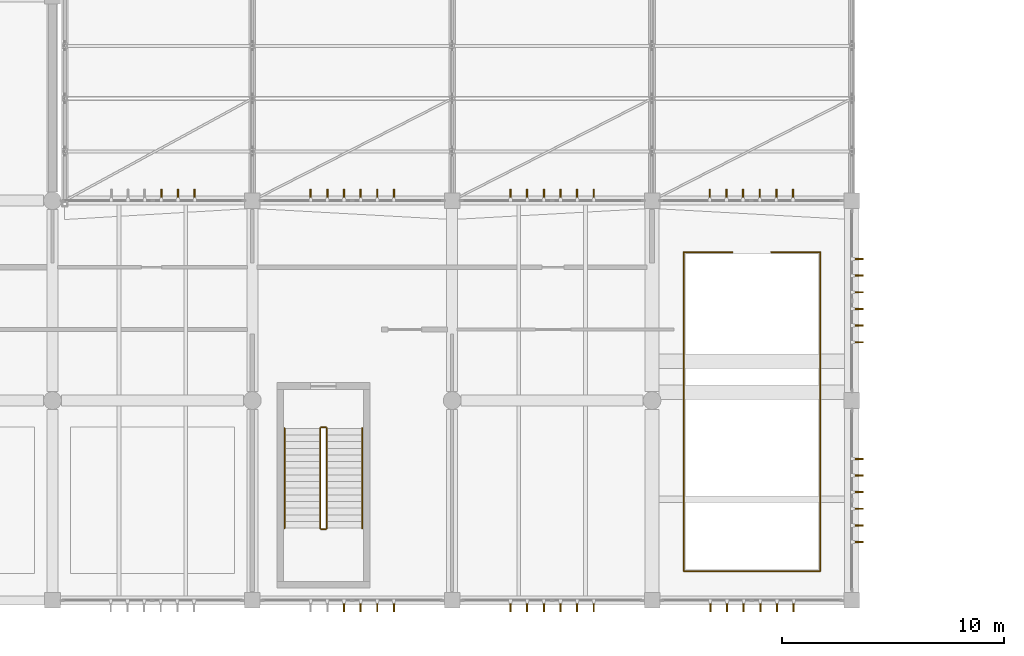
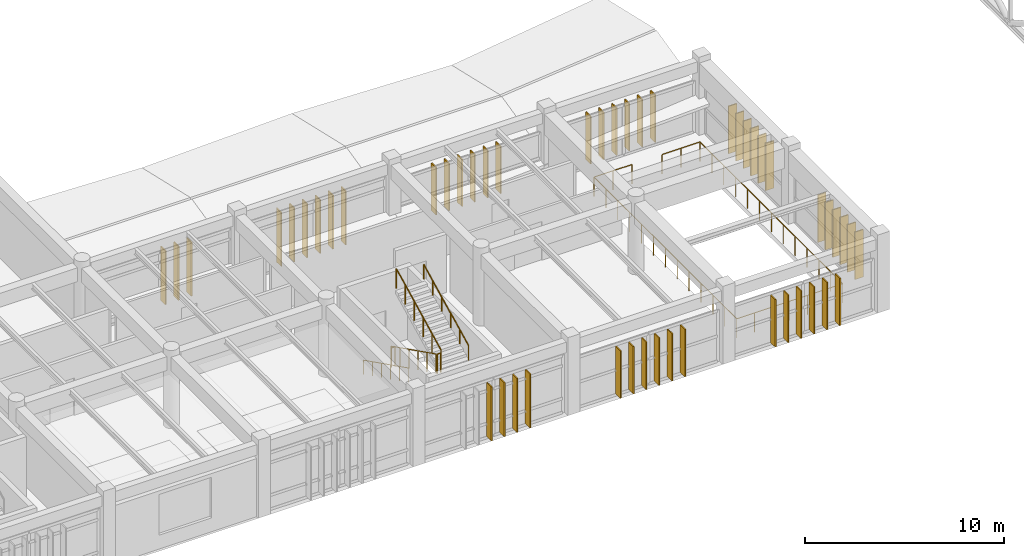
# One storey, part 84 of 90: 49 shading devices, 11 railings.
"""IFC4 building model written with IfcOpenShell, lengths in metres."""

from ifc_helpers import new_model, si_unit, direction, frame, origin, origin_2d, place, context, subcontext, project, spatial, rectangle, circle, extrude, material, type_object, element, save


model = new_model("IFC4")

# Units and contexts
model_context = context("Model", 3, precision=1e-05, world=origin(), true_north=direction((0.0, 1.0)))
body_context = subcontext(model_context, "Body", "Model", "MODEL_VIEW")
ifc_project = project(units=[si_unit("LENGTHUNIT", "METRE"), si_unit("AREAUNIT", "SQUARE_METRE"), si_unit("VOLUMEUNIT", "CUBIC_METRE"), si_unit("PLANEANGLEUNIT", "RADIAN"), si_unit("MASSUNIT", "GRAM", prefix="KILO")], contexts=[model_context])

# Site, building, storey
site_placement = place(None, origin())
site = spatial("IfcSite", under=ifc_project, at=site_placement, CompositionType="ELEMENT")
building_placement = place(site_placement, origin())
building = spatial("IfcBuilding", under=site, at=building_placement, Name="Bozkorgan Art Gallery", CompositionType="ELEMENT")
storey_placement = place(building_placement, frame((0.0, 0.0, 5.39990234375)))
storey = spatial("IfcBuildingStorey", under=building, at=storey_placement, Name="L01", CompositionType="ELEMENT", Elevation=5.39990234375)

# Railings
ifc_material_1 = material(Name="Steel S355J2", Category="steel")
railing_type_1 = type_object("IfcRailingType", Name="RAIL-BAL-INT", PredefinedType="BALUSTRADE", material=ifc_material_1)
railing_1_placement = place(storey_placement, frame((57.419921875, 3.320068359375, 0.0)))
element("IfcRailing", 1, at=railing_1_placement, inside=storey, type_object=railing_type_1, Name="V1 L01 foyer_stair_atrium guard S", PredefinedType="BALUSTRADE", context=body_context, shape_type="SweptSolid", body=[
    extrude(circle(Radius=0.02392578125, at=origin_2d()), frame((0.0, 0.0, 1.17578125), z_axis=(1.0, 0.0, 0.0), x_axis=(0.0, 1.0, 0.0)), (0.0, 0.0, 1.0), 6.16015625),
    extrude(circle(Radius=0.02099609375, at=origin_2d()), origin(), (0.0, 0.0, 1.0), 1.15185546875),
    extrude(circle(Radius=0.02099609375, at=origin_2d()), frame((1.026611328125, 0.0, 0.0)), (0.0, 0.0, 1.0), 1.15185546875),
    extrude(circle(Radius=0.02099609375, at=origin_2d()), frame((2.053466796875, 0.0, 0.0)), (0.0, 0.0, 1.0), 1.15185546875),
    extrude(circle(Radius=0.02099609375, at=origin_2d()), frame((3.080078125, 0.0, 0.0)), (0.0, 0.0, 1.0), 1.15185546875),
    extrude(circle(Radius=0.02099609375, at=origin_2d()), frame((4.106689453125, 0.0, 0.0)), (0.0, 0.0, 1.0), 1.15185546875),
    extrude(circle(Radius=0.02099609375, at=origin_2d()), frame((5.133544921875, 0.0, 0.0)), (0.0, 0.0, 1.0), 1.15185546875),
    extrude(circle(Radius=0.02099609375, at=origin_2d()), frame((6.16015625, 0.0, 0.0)), (0.0, 0.0, 1.0), 1.15185546875),
])
railing_2_placement = place(storey_placement, frame((57.419921875, 3.320068359375, 0.0)))
element("IfcRailing", 2, at=railing_2_placement, inside=storey, type_object=railing_type_1, Name="V1 L01 foyer_stair_atrium guard W", PredefinedType="BALUSTRADE", context=body_context, shape_type="SweptSolid", body=[
    extrude(circle(Radius=0.02392578125, at=origin_2d()), frame((0.0, 0.0, 1.17578125), z_axis=(0.0, 1.0, 0.0), x_axis=(-1.0, 0.0, 0.0)), (0.0, 0.0, 1.0), 14.35986328125),
    extrude(circle(Radius=0.02099609375, at=origin_2d()), origin(), (0.0, 0.0, 1.0), 1.15185546875),
    extrude(circle(Radius=0.02099609375, at=origin_2d()), frame((0.0, 1.19677734375, 0.0)), (0.0, 0.0, 1.0), 1.15185546875),
    extrude(circle(Radius=0.02099609375, at=origin_2d()), frame((0.0, 2.393310546875, 0.0)), (0.0, 0.0, 1.0), 1.15185546875),
    extrude(circle(Radius=0.02099609375, at=origin_2d()), frame((0.0, 3.58984375, 0.0)), (0.0, 0.0, 1.0), 1.15185546875),
    extrude(circle(Radius=0.02099609375, at=origin_2d()), frame((0.0, 4.78662109375, 0.0)), (0.0, 0.0, 1.0), 1.15185546875),
    extrude(circle(Radius=0.02099609375, at=origin_2d()), frame((0.0, 5.9833984375, 0.0)), (0.0, 0.0, 1.0), 1.15185546875),
    extrude(circle(Radius=0.02099609375, at=origin_2d()), frame((0.0, 7.179931640625, 0.0)), (0.0, 0.0, 1.0), 1.15185546875),
    extrude(circle(Radius=0.02099609375, at=origin_2d()), frame((0.0, 8.37646484375, 0.0)), (0.0, 0.0, 1.0), 1.15185546875),
    extrude(circle(Radius=0.02099609375, at=origin_2d()), frame((0.0, 9.5732421875, 0.0)), (0.0, 0.0, 1.0), 1.15185546875),
    extrude(circle(Radius=0.02099609375, at=origin_2d()), frame((0.0, 10.77001953125, 0.0)), (0.0, 0.0, 1.0), 1.15185546875),
    extrude(circle(Radius=0.02099609375, at=origin_2d()), frame((0.0, 11.966552734375, 0.0)), (0.0, 0.0, 1.0), 1.15185546875),
    extrude(circle(Radius=0.02099609375, at=origin_2d()), frame((0.0, 13.1630859375, 0.0)), (0.0, 0.0, 1.0), 1.15185546875),
    extrude(circle(Radius=0.02099609375, at=origin_2d()), frame((0.0, 14.35986328125, 0.0)), (0.0, 0.0, 1.0), 1.15185546875),
])
railing_3_placement = place(storey_placement, frame((63.580078125, 3.320068359375, 0.0)))
element("IfcRailing", 3, at=railing_3_placement, inside=storey, type_object=railing_type_1, Name="V1 L01 foyer_stair_atrium guard E", PredefinedType="BALUSTRADE", context=body_context, shape_type="SweptSolid", body=[
    extrude(circle(Radius=0.02392578125, at=origin_2d()), frame((0.0, 0.0, 1.17578125), z_axis=(0.0, 1.0, 0.0), x_axis=(-1.0, 0.0, 0.0)), (0.0, 0.0, 1.0), 14.35986328125),
    extrude(circle(Radius=0.02099609375, at=origin_2d()), origin(), (0.0, 0.0, 1.0), 1.15185546875),
    extrude(circle(Radius=0.02099609375, at=origin_2d()), frame((0.0, 1.19677734375, 0.0)), (0.0, 0.0, 1.0), 1.15185546875),
    extrude(circle(Radius=0.02099609375, at=origin_2d()), frame((0.0, 2.393310546875, 0.0)), (0.0, 0.0, 1.0), 1.15185546875),
    extrude(circle(Radius=0.02099609375, at=origin_2d()), frame((0.0, 3.58984375, 0.0)), (0.0, 0.0, 1.0), 1.15185546875),
    extrude(circle(Radius=0.02099609375, at=origin_2d()), frame((0.0, 4.78662109375, 0.0)), (0.0, 0.0, 1.0), 1.15185546875),
    extrude(circle(Radius=0.02099609375, at=origin_2d()), frame((0.0, 5.9833984375, 0.0)), (0.0, 0.0, 1.0), 1.15185546875),
    extrude(circle(Radius=0.02099609375, at=origin_2d()), frame((0.0, 7.179931640625, 0.0)), (0.0, 0.0, 1.0), 1.15185546875),
    extrude(circle(Radius=0.02099609375, at=origin_2d()), frame((0.0, 8.37646484375, 0.0)), (0.0, 0.0, 1.0), 1.15185546875),
    extrude(circle(Radius=0.02099609375, at=origin_2d()), frame((0.0, 9.5732421875, 0.0)), (0.0, 0.0, 1.0), 1.15185546875),
    extrude(circle(Radius=0.02099609375, at=origin_2d()), frame((0.0, 10.77001953125, 0.0)), (0.0, 0.0, 1.0), 1.15185546875),
    extrude(circle(Radius=0.02099609375, at=origin_2d()), frame((0.0, 11.966552734375, 0.0)), (0.0, 0.0, 1.0), 1.15185546875),
    extrude(circle(Radius=0.02099609375, at=origin_2d()), frame((0.0, 13.1630859375, 0.0)), (0.0, 0.0, 1.0), 1.15185546875),
    extrude(circle(Radius=0.02099609375, at=origin_2d()), frame((0.0, 14.35986328125, 0.0)), (0.0, 0.0, 1.0), 1.15185546875),
])
for number, where, name in (
    (4, (57.419921875, 17.679931640625, 0.0), "V1 L01 foyer_stair_atrium guard N1"),
    (5, (61.375, 17.679931640625, 0.0), "V1 L01 foyer_stair_atrium guard N2"),
):
    element("IfcRailing", number, at=place(storey_placement, frame(where)), inside=storey, type_object=railing_type_1, Name=name, PredefinedType="BALUSTRADE", context=body_context, shape_type="SweptSolid", body=[
        extrude(circle(Radius=0.02392578125, at=origin_2d()), frame((0.0, 0.0, 1.17578125), z_axis=(1.0, 0.0, 0.0), x_axis=(0.0, 1.0, 0.0)), (0.0, 0.0, 1.0), 2.205078125),
        extrude(circle(Radius=0.02099609375, at=origin_2d()), origin(), (0.0, 0.0, 1.0), 1.15185546875),
        extrude(circle(Radius=0.02099609375, at=origin_2d()), frame((1.1025390625, 0.0, 0.0)), (0.0, 0.0, 1.0), 1.15185546875),
        extrude(circle(Radius=0.02099609375, at=origin_2d()), frame((2.205078125, 0.0, 0.0)), (0.0, 0.0, 1.0), 1.15185546875),
    ])
railing_type_2 = type_object("IfcRailingType", Name="RAIL-GRD-115", PredefinedType="GUARDRAIL", material=ifc_material_1)
railing_4_placement = place(storey_placement, frame((41.050048828125, 9.75, 0.150146484375)))
element("IfcRailing", 6, at=railing_4_placement, inside=storey, type_object=railing_type_2, Name="L01 ST12 stair guard 1", PredefinedType="GUARDRAIL", context=body_context, shape_type="SweptSolid", body=[
    extrude(circle(Radius=0.02392578125, at=origin_2d()), frame((0.0, 0.0, 1.17578125), z_axis=(0.0, -0.894427191, 0.4472135955), x_axis=(1.0, 0.0, 0.0)), (0.0, 0.0, 1.0), 5.03125),
    extrude(circle(Radius=0.02099609375, at=origin_2d()), origin(), (0.0, 0.0, 1.0), 1.15185546875),
    extrude(circle(Radius=0.02099609375, at=origin_2d()), frame((0.0, -0.89990234375, 0.449951171875)), (0.0, 0.0, 1.0), 1.15185546875),
    extrude(circle(Radius=0.02099609375, at=origin_2d()), frame((0.0, -1.800048828125, 0.89990234375)), (0.0, 0.0, 1.0), 1.15185546875),
    extrude(circle(Radius=0.02099609375, at=origin_2d()), frame((0.0, -2.699951171875, 1.35009765625)), (0.0, 0.0, 1.0), 1.15185546875),
    extrude(circle(Radius=0.02099609375, at=origin_2d()), frame((0.0, -3.60009765625, 1.800048828125)), (0.0, 0.0, 1.0), 1.15185546875),
    extrude(circle(Radius=0.02099609375, at=origin_2d()), frame((0.0, -4.5, 2.25)), (0.0, 0.0, 1.0), 1.15185546875),
])
railing_5_placement = place(storey_placement, frame((41.10009765625, 5.199951171875, 2.400146484375)))
element("IfcRailing", 7, at=railing_5_placement, inside=storey, type_object=railing_type_2, Name="L01 ST12 stair guard 2", PredefinedType="GUARDRAIL", context=body_context, shape_type="SweptSolid", body=[
    extrude(circle(Radius=0.02392578125, at=origin_2d()), frame((0.0, 0.0, 1.17578125), z_axis=(1.0, 0.0, 0.0), x_axis=(0.0, 1.0, 0.0)), (0.0, 0.0, 1.0), 0.199951171875),
    extrude(circle(Radius=0.02099609375, at=origin_2d()), origin(), (0.0, 0.0, 1.0), 1.15185546875),
    extrude(circle(Radius=0.02099609375, at=origin_2d()), frame((0.199951171875, 0.0, 0.0)), (0.0, 0.0, 1.0), 1.15185546875),
])
railing_6_placement = place(storey_placement, frame((41.35009765625, 5.25, 2.550048828125)))
element("IfcRailing", 8, at=railing_6_placement, inside=storey, type_object=railing_type_2, Name="L01 ST12 stair guard 3", PredefinedType="GUARDRAIL", context=body_context, shape_type="SweptSolid", body=[
    extrude(circle(Radius=0.02392578125, at=origin_2d()), frame((0.0, 0.0, 1.17578125), z_axis=(0.0, 0.894427191, 0.4472135955), x_axis=(-1.0, 0.0, 0.0)), (0.0, 0.0, 1.0), 5.03125),
    extrude(circle(Radius=0.02099609375, at=origin_2d()), origin(), (0.0, 0.0, 1.0), 1.15185546875),
    extrude(circle(Radius=0.02099609375, at=origin_2d()), frame((0.0, 0.89990234375, 0.449951171875)), (0.0, 0.0, 1.0), 1.15185546875),
    extrude(circle(Radius=0.02099609375, at=origin_2d()), frame((0.0, 1.800048828125, 0.89990234375)), (0.0, 0.0, 1.0), 1.15185546875),
    extrude(circle(Radius=0.02099609375, at=origin_2d()), frame((0.0, 2.699951171875, 1.35009765625)), (0.0, 0.0, 1.0), 1.15185546875),
    extrude(circle(Radius=0.02099609375, at=origin_2d()), frame((0.0, 3.60009765625, 1.800048828125)), (0.0, 0.0, 1.0), 1.15185546875),
    extrude(circle(Radius=0.02099609375, at=origin_2d()), frame((0.0, 4.5, 2.25)), (0.0, 0.0, 1.0), 1.15185546875),
])
railing_7_placement = place(storey_placement, frame((41.10009765625, 9.800048828125, 0.0)))
element("IfcRailing", 9, at=railing_7_placement, inside=storey, type_object=railing_type_2, Name="L01 ST12 stair guard 4", PredefinedType="GUARDRAIL", context=body_context, shape_type="SweptSolid", body=[
    extrude(circle(Radius=0.02392578125, at=origin_2d()), frame((0.0, 0.0, 1.17578125), z_axis=(1.0, 0.0, 0.0), x_axis=(0.0, 1.0, 0.0)), (0.0, 0.0, 1.0), 0.199951171875),
    extrude(circle(Radius=0.02099609375, at=origin_2d()), origin(), (0.0, 0.0, 1.0), 1.15185546875),
    extrude(circle(Radius=0.02099609375, at=origin_2d()), frame((0.199951171875, 0.0, 0.0)), (0.0, 0.0, 1.0), 1.15185546875),
])
railing_type_3 = type_object("IfcRailingType", Name="RAIL-HND-092", PredefinedType="HANDRAIL", material=ifc_material_1)
railing_8_placement = place(storey_placement, frame((39.449951171875, 9.75, 0.150146484375)))
element("IfcRailing", 10, at=railing_8_placement, inside=storey, type_object=railing_type_3, Name="L01 ST12 stair handrail 1", PredefinedType="HANDRAIL", context=body_context, shape_type="SweptSolid", body=[
    extrude(circle(Radius=0.02392578125, at=origin_2d()), frame((0.0, 0.0, 0.8759765625), z_axis=(0.0, -0.894427191, 0.4472135955), x_axis=(1.0, 0.0, 0.0)), (0.0, 0.0, 1.0), 5.03125),
    extrude(circle(Radius=0.02099609375, at=origin_2d()), origin(), (0.0, 0.0, 1.0), 0.851806640625),
    extrude(circle(Radius=0.02099609375, at=origin_2d()), frame((0.0, -0.89990234375, 0.449951171875)), (0.0, 0.0, 1.0), 0.851806640625),
    extrude(circle(Radius=0.02099609375, at=origin_2d()), frame((0.0, -1.800048828125, 0.89990234375)), (0.0, 0.0, 1.0), 0.851806640625),
    extrude(circle(Radius=0.02099609375, at=origin_2d()), frame((0.0, -2.699951171875, 1.35009765625)), (0.0, 0.0, 1.0), 0.851806640625),
    extrude(circle(Radius=0.02099609375, at=origin_2d()), frame((0.0, -3.60009765625, 1.800048828125)), (0.0, 0.0, 1.0), 0.851806640625),
    extrude(circle(Radius=0.02099609375, at=origin_2d()), frame((0.0, -4.5, 2.25)), (0.0, 0.0, 1.0), 0.851806640625),
])
railing_9_placement = place(storey_placement, frame((42.949951171875, 5.25, 2.550048828125)))
element("IfcRailing", 11, at=railing_9_placement, inside=storey, type_object=railing_type_3, Name="L01 ST12 stair handrail 2", PredefinedType="HANDRAIL", context=body_context, shape_type="SweptSolid", body=[
    extrude(circle(Radius=0.02392578125, at=origin_2d()), frame((0.0, 0.0, 0.8759765625), z_axis=(0.0, 0.894427191, 0.4472135955), x_axis=(-1.0, 0.0, 0.0)), (0.0, 0.0, 1.0), 5.03125),
    extrude(circle(Radius=0.02099609375, at=origin_2d()), origin(), (0.0, 0.0, 1.0), 0.851806640625),
    extrude(circle(Radius=0.02099609375, at=origin_2d()), frame((0.0, 0.89990234375, 0.449951171875)), (0.0, 0.0, 1.0), 0.851806640625),
    extrude(circle(Radius=0.02099609375, at=origin_2d()), frame((0.0, 1.800048828125, 0.89990234375)), (0.0, 0.0, 1.0), 0.851806640625),
    extrude(circle(Radius=0.02099609375, at=origin_2d()), frame((0.0, 2.699951171875, 1.35009765625)), (0.0, 0.0, 1.0), 0.851806640625),
    extrude(circle(Radius=0.02099609375, at=origin_2d()), frame((0.0, 3.60009765625, 1.800048828125)), (0.0, 0.0, 1.0), 0.851806640625),
    extrude(circle(Radius=0.02099609375, at=origin_2d()), frame((0.0, 4.5, 2.25)), (0.0, 0.0, 1.0), 0.851806640625),
])

# Shading devices
ifc_material_2 = material(Name="Polychrome Vitrified Ceramic Tile")
shading_device_type = type_object("IfcShadingDeviceType", Name="SHD-FIN-01", PredefinedType="USERDEFINED", material=ifc_material_2)
for number, where, z_axis, x_axis, name in (
    (12, (33.89990234375, 20.280029296875, 0.14013671875), (0.0, 0.0, 1.0), (0.0, 1.0, 0.0), "CW-V1-L01-1N-05 vertical solar fin 4"),
    (13, (34.64990234375, 20.280029296875, 0.14013671875), (0.0, 0.0, 1.0), (0.0, 1.0, 0.0), "CW-V1-L01-1N-05 vertical solar fin 5"),
    (14, (35.39990234375, 20.280029296875, 0.14013671875), (0.0, 0.0, 1.0), (0.0, 1.0, 0.0), "CW-V1-L01-1N-05 vertical solar fin 6"),
    (15, (42.125, 1.719970703125, 0.14013671875), (0.0, 0.0, 1.0), (0.0, -1.0, 0.0), "CW-V1-L01-1S-06 vertical solar fin 3"),
    (16, (42.875, 1.719970703125, 0.14013671875), (0.0, 0.0, 1.0), (0.0, -1.0, 0.0), "CW-V1-L01-1S-06 vertical solar fin 4"),
    (17, (43.625, 1.719970703125, 0.14013671875), (0.0, 0.0, 1.0), (0.0, -1.0, 0.0), "CW-V1-L01-1S-06 vertical solar fin 5"),
    (18, (44.375, 1.719970703125, 0.14013671875), (0.0, 0.0, 1.0), (0.0, -1.0, 0.0), "CW-V1-L01-1S-06 vertical solar fin 6"),
    (19, (40.625, 20.280029296875, 0.14013671875), (0.0, 0.0, 1.0), (0.0, 1.0, 0.0), "CW-V1-L01-1N-07 vertical solar fin 1"),
    (20, (41.375, 20.280029296875, 0.14013671875), (0.0, 0.0, 1.0), (0.0, 1.0, 0.0), "CW-V1-L01-1N-07 vertical solar fin 2"),
    (21, (42.125, 20.280029296875, 0.14013671875), (0.0, 0.0, 1.0), (0.0, 1.0, 0.0), "CW-V1-L01-1N-07 vertical solar fin 3"),
    (22, (42.875, 20.280029296875, 0.14013671875), (0.0, 0.0, 1.0), (0.0, 1.0, 0.0), "CW-V1-L01-1N-07 vertical solar fin 4"),
    (23, (43.625, 20.280029296875, 0.14013671875), (0.0, 0.0, 1.0), (0.0, 1.0, 0.0), "CW-V1-L01-1N-07 vertical solar fin 5"),
    (24, (44.375, 20.280029296875, 0.14013671875), (0.0, 0.0, 1.0), (0.0, 1.0, 0.0), "CW-V1-L01-1N-07 vertical solar fin 6"),
):
    element("IfcShadingDevice", number, at=place(storey_placement, frame(where, z_axis=z_axis, x_axis=x_axis)), inside=storey, type_object=shading_device_type, Name=name, ObjectType="FIN", PredefinedType="USERDEFINED", context=body_context, shape_type="SweptSolid", body=[
        extrude(rectangle(XDim=0.47998046875, YDim=0.06494140625, at=origin_2d()), origin(), (0.0, 0.0, 1.0), 3.31494140625),
    ])
for number, where, z_axis, x_axis, name in (
    (25, (49.625, 1.719970703125, 0.14013671875), (0.0, 0.0, 1.0), (0.0, -1.0, 0.0), "CW-V1-L01-1S-08 vertical solar fin 1"),
    (26, (50.375, 1.719970703125, 0.14013671875), (0.0, 0.0, 1.0), (0.0, -1.0, 0.0), "CW-V1-L01-1S-08 vertical solar fin 2"),
    (27, (51.125, 1.719970703125, 0.14013671875), (0.0, 0.0, 1.0), (0.0, -1.0, 0.0), "CW-V1-L01-1S-08 vertical solar fin 3"),
    (28, (51.875, 1.719970703125, 0.14013671875), (0.0, 0.0, 1.0), (0.0, -1.0, 0.0), "CW-V1-L01-1S-08 vertical solar fin 4"),
    (29, (52.625, 1.719970703125, 0.14013671875), (0.0, 0.0, 1.0), (0.0, -1.0, 0.0), "CW-V1-L01-1S-08 vertical solar fin 5"),
    (30, (53.375, 1.719970703125, 0.14013671875), (0.0, 0.0, 1.0), (0.0, -1.0, 0.0), "CW-V1-L01-1S-08 vertical solar fin 6"),
    (31, (49.625, 20.280029296875, 0.14013671875), (0.0, 0.0, 1.0), (0.0, 1.0, 0.0), "CW-V1-L01-1N-09 vertical solar fin 1"),
    (32, (50.375, 20.280029296875, 0.14013671875), (0.0, 0.0, 1.0), (0.0, 1.0, 0.0), "CW-V1-L01-1N-09 vertical solar fin 2"),
    (33, (51.125, 20.280029296875, 0.14013671875), (0.0, 0.0, 1.0), (0.0, 1.0, 0.0), "CW-V1-L01-1N-09 vertical solar fin 3"),
    (34, (51.875, 20.280029296875, 0.14013671875), (0.0, 0.0, 1.0), (0.0, 1.0, 0.0), "CW-V1-L01-1N-09 vertical solar fin 4"),
    (35, (52.625, 20.280029296875, 0.14013671875), (0.0, 0.0, 1.0), (0.0, 1.0, 0.0), "CW-V1-L01-1N-09 vertical solar fin 5"),
    (36, (53.375, 20.280029296875, 0.14013671875), (0.0, 0.0, 1.0), (0.0, 1.0, 0.0), "CW-V1-L01-1N-09 vertical solar fin 6"),
    (37, (58.625, 1.719970703125, 0.14013671875), (0.0, 0.0, 1.0), (0.0, -1.0, 0.0), "CW-V1-L01-1S-10 vertical solar fin 1"),
    (38, (59.375, 1.719970703125, 0.14013671875), (0.0, 0.0, 1.0), (0.0, -1.0, 0.0), "CW-V1-L01-1S-10 vertical solar fin 2"),
    (39, (60.125, 1.719970703125, 0.14013671875), (0.0, 0.0, 1.0), (0.0, -1.0, 0.0), "CW-V1-L01-1S-10 vertical solar fin 3"),
    (40, (60.875, 1.719970703125, 0.14013671875), (0.0, 0.0, 1.0), (0.0, -1.0, 0.0), "CW-V1-L01-1S-10 vertical solar fin 4"),
    (41, (61.625, 1.719970703125, 0.14013671875), (0.0, 0.0, 1.0), (0.0, -1.0, 0.0), "CW-V1-L01-1S-10 vertical solar fin 5"),
    (42, (62.375, 1.719970703125, 0.14013671875), (0.0, 0.0, 1.0), (0.0, -1.0, 0.0), "CW-V1-L01-1S-10 vertical solar fin 6"),
    (43, (58.60009765625, 20.280029296875, 0.14013671875), (0.0, 0.0, 1.0), (0.0, 1.0, 0.0), "CW-V1-L01-1N-11 vertical solar fin 1"),
    (44, (59.35009765625, 20.280029296875, 0.14013671875), (0.0, 0.0, 1.0), (0.0, 1.0, 0.0), "CW-V1-L01-1N-11 vertical solar fin 2"),
    (45, (60.10009765625, 20.280029296875, 0.14013671875), (0.0, 0.0, 1.0), (0.0, 1.0, 0.0), "CW-V1-L01-1N-11 vertical solar fin 3"),
    (46, (60.85009765625, 20.280029296875, 0.14013671875), (0.0, 0.0, 1.0), (0.0, 1.0, 0.0), "CW-V1-L01-1N-11 vertical solar fin 4"),
    (47, (61.60009765625, 20.280029296875, 0.14013671875), (0.0, 0.0, 1.0), (0.0, 1.0, 0.0), "CW-V1-L01-1N-11 vertical solar fin 5"),
    (48, (62.35009765625, 20.280029296875, 0.14013671875), (0.0, 0.0, 1.0), (0.0, 1.0, 0.0), "CW-V1-L01-1N-11 vertical solar fin 6"),
    (49, (65.280029296875, 4.625, 0.14013671875), (0.0, 0.0, 1.0), (1.0, 0.0, 0.0), "CW-V1-L01-1E-13 vertical solar fin 1"),
    (50, (65.280029296875, 5.375, 0.14013671875), (0.0, 0.0, 1.0), (1.0, 0.0, 0.0), "CW-V1-L01-1E-13 vertical solar fin 2"),
    (51, (65.280029296875, 6.125, 0.14013671875), (0.0, 0.0, 1.0), (1.0, 0.0, 0.0), "CW-V1-L01-1E-13 vertical solar fin 3"),
    (52, (65.280029296875, 6.875, 0.14013671875), (0.0, 0.0, 1.0), (1.0, 0.0, 0.0), "CW-V1-L01-1E-13 vertical solar fin 4"),
    (53, (65.280029296875, 7.625, 0.14013671875), (0.0, 0.0, 1.0), (1.0, 0.0, 0.0), "CW-V1-L01-1E-13 vertical solar fin 5"),
    (54, (65.280029296875, 8.375, 0.14013671875), (0.0, 0.0, 1.0), (1.0, 0.0, 0.0), "CW-V1-L01-1E-13 vertical solar fin 6"),
    (55, (65.280029296875, 13.625, 0.14013671875), (0.0, 0.0, 1.0), (1.0, 0.0, 0.0), "CW-V1-L01-1E-15 vertical solar fin 1"),
    (56, (65.280029296875, 14.375, 0.14013671875), (0.0, 0.0, 1.0), (1.0, 0.0, 0.0), "CW-V1-L01-1E-15 vertical solar fin 2"),
    (57, (65.280029296875, 15.125, 0.14013671875), (0.0, 0.0, 1.0), (1.0, 0.0, 0.0), "CW-V1-L01-1E-15 vertical solar fin 3"),
    (58, (65.280029296875, 15.875, 0.14013671875), (0.0, 0.0, 1.0), (1.0, 0.0, 0.0), "CW-V1-L01-1E-15 vertical solar fin 4"),
    (59, (65.280029296875, 16.625, 0.14013671875), (0.0, 0.0, 1.0), (1.0, 0.0, 0.0), "CW-V1-L01-1E-15 vertical solar fin 5"),
    (60, (65.280029296875, 17.375, 0.14013671875), (0.0, 0.0, 1.0), (1.0, 0.0, 0.0), "CW-V1-L01-1E-15 vertical solar fin 6"),
):
    element("IfcShadingDevice", number, at=place(storey_placement, frame(where, z_axis=z_axis, x_axis=x_axis)), inside=storey, type_object=shading_device_type, Name=name, ObjectType="FIN", PredefinedType="USERDEFINED", context=body_context, shape_type="SweptSolid", body=[
        extrude(rectangle(XDim=0.47998046875, YDim=0.06494140625, at=origin_2d()), origin(), (0.0, 0.0, 1.0), 2.9150390625),
    ])

save(model, "model.ifc")
